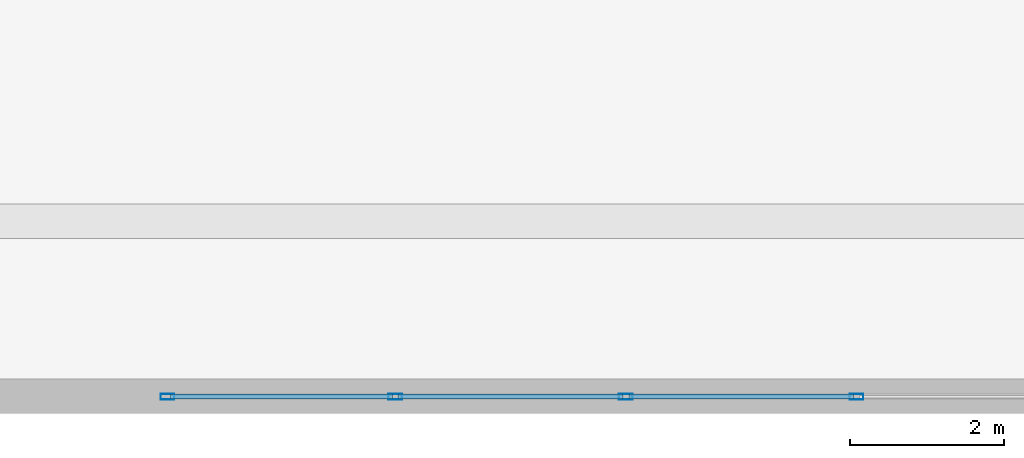
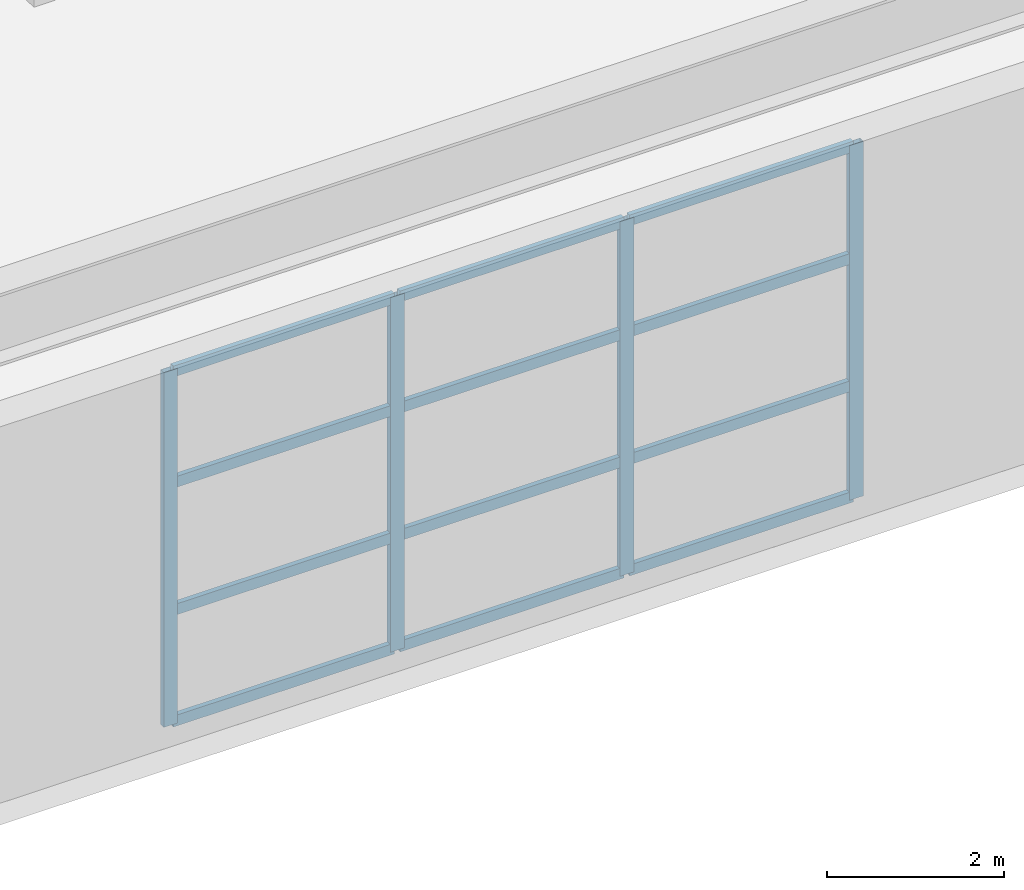
# One storey, part 6 of 34: 16 members, 1 element without a shape of its own.
"""IFC4 building model written with IfcOpenShell, lengths in metres."""

from ifc_helpers import new_model, si_unit, direction, frame, origin, origin_2d, place, context, subcontext, project, spatial, hollow_rectangle, extrude, material, layer, layer_set, material_profile, profile_set, type_object, element, aggregate, save


model = new_model("IFC4")

# Units and contexts
model_context = context("Model", 3, precision=1e-05, world=origin(), true_north=direction((0.0, 1.0)))
body_context = subcontext(model_context, "Body", "Model", "MODEL_VIEW")
ifc_project = project(units=[si_unit("LENGTHUNIT", "METRE"), si_unit("AREAUNIT", "SQUARE_METRE"), si_unit("VOLUMEUNIT", "CUBIC_METRE"), si_unit("PLANEANGLEUNIT", "RADIAN"), si_unit("MASSUNIT", "GRAM", prefix="KILO")], contexts=[model_context])

# Site, building, storey
site_placement = place(None, origin())
site = spatial("IfcSite", under=ifc_project, at=site_placement, CompositionType="ELEMENT")
building_placement = place(site_placement, origin())
building = spatial("IfcBuilding", under=site, at=building_placement, Name="Qiaolan Cultural Towers", CompositionType="ELEMENT")
storey_placement = place(building_placement, frame((0.0, 0.0, 16.5)))
storey = spatial("IfcBuildingStorey", under=building, at=storey_placement, Name="L03", CompositionType="ELEMENT", Elevation=16.5)

# Curtain wall, members
ifc_material_1 = material(Name="Unitized Anodized Aluminium Curtain Wall System", Category="aluminium")
ifc_layer = layer(ifc_material_1, 0.199951171875)
ifc_layer_set = layer_set([ifc_layer], Name="Unitized Anodized Aluminium Curtain Wall System")
curtain_wall_type = type_object("IfcCurtainWallType", Name="CWS-01", PredefinedType="NOTDEFINED", material=ifc_layer_set)
curtain_wall_placement = place(storey_placement, origin())
curtain_wall = element("IfcCurtainWall", 1, at=curtain_wall_placement, inside=storey, type_object=curtain_wall_type, Name="L03 South Atrium Curtain Wall", PredefinedType="NOTDEFINED")
ifc_material_2 = material(Name="Extruded Aluminium 6063-T6", Category="aluminium")
ifc_material_profile_1 = material_profile(ifc_material_2, hollow_rectangle(XDim=0.074951171875, YDim=0.179931640625, WallThickness=0.00390625, at=origin_2d()), Name="CWM-180x75x4")
ifc_profile_set_1 = profile_set([ifc_material_profile_1], Name="Extruded Aluminium 6063-T6")
member_type_1 = type_object("IfcMemberType", Name="CWS-01-MUL", PredefinedType="MULLION", material=ifc_profile_set_1)
member_1_placement = place(storey_placement, frame((50.03759765625, 0.219970703125, 0.14990234375), z_axis=(0.0, 0.0, 1.0), x_axis=(0.0, 1.0, 0.0)))
member_1 = element("IfcMember", 2, at=member_1_placement, type_object=member_type_1, Name="CW-1 mullion 1", PredefinedType="MULLION", context=body_context, shape_type="SweptSolid", body=[
    extrude(hollow_rectangle(XDim=0.074951171875, YDim=0.179931640625, WallThickness=0.00390625, at=origin_2d()), origin(), (0.0, 0.0, 1.0), 4.900146484375),
])
member_2_placement = place(storey_placement, frame((53.0, 0.219970703125, 0.14990234375), z_axis=(0.0, 0.0, 1.0), x_axis=(0.0, 1.0, 0.0)))
member_2 = element("IfcMember", 3, at=member_2_placement, type_object=member_type_1, Name="CW-1 mullion 2", PredefinedType="MULLION", context=body_context, shape_type="SweptSolid", body=[
    extrude(hollow_rectangle(XDim=0.074951171875, YDim=0.179931640625, WallThickness=0.00390625, at=origin_2d()), origin(), (0.0, 0.0, 1.0), 4.900146484375),
])
member_3_placement = place(storey_placement, frame((56.0, 0.219970703125, 0.14990234375), z_axis=(0.0, 0.0, 1.0), x_axis=(0.0, 1.0, 0.0)))
member_3 = element("IfcMember", 4, at=member_3_placement, type_object=member_type_1, Name="CW-1 mullion 3", PredefinedType="MULLION", context=body_context, shape_type="SweptSolid", body=[
    extrude(hollow_rectangle(XDim=0.074951171875, YDim=0.179931640625, WallThickness=0.00390625, at=origin_2d()), origin(), (0.0, 0.0, 1.0), 4.900146484375),
])
member_4_placement = place(storey_placement, frame((59.0, 0.219970703125, 0.14990234375), z_axis=(0.0, 0.0, 1.0), x_axis=(0.0, 1.0, 0.0)))
member_4 = element("IfcMember", 5, at=member_4_placement, type_object=member_type_1, Name="CW-1 mullion 4", PredefinedType="MULLION", context=body_context, shape_type="SweptSolid", body=[
    extrude(hollow_rectangle(XDim=0.074951171875, YDim=0.179931640625, WallThickness=0.00390625, at=origin_2d()), origin(), (0.0, 0.0, 1.0), 4.900146484375),
])
ifc_material_3 = material(Name="Extruded Aluminium 6063-T6", Category="aluminium")
ifc_material_profile_2 = material_profile(ifc_material_3, hollow_rectangle(XDim=0.06494140625, YDim=0.14990234375, WallThickness=0.00390625, at=origin_2d()), Name="CWT-150x65x4")
ifc_profile_set_2 = profile_set([ifc_material_profile_2], Name="Extruded Aluminium 6063-T6")
member_type_2 = type_object("IfcMemberType", Name="CWS-01-TRN", PredefinedType="USERDEFINED", material=ifc_profile_set_2)
member_5_placement = place(storey_placement, frame((50.074951171875, 0.219970703125, 0.1826171875), z_axis=(1.0, 0.0, 0.0), x_axis=(0.0, 1.0, 0.0)))
member_5 = element("IfcMember", 6, at=member_5_placement, type_object=member_type_2, Name="CW-1 transom 1.1", ObjectType="TRANSOM", PredefinedType="USERDEFINED", context=body_context, shape_type="SweptSolid", body=[
    extrude(hollow_rectangle(XDim=0.06494140625, YDim=0.14990234375, WallThickness=0.00390625, at=origin_2d()), origin(), (0.0, 0.0, 1.0), 2.887451171875),
])
member_6_placement = place(storey_placement, frame((50.074951171875, 0.219970703125, 1.719970703125), z_axis=(1.0, 0.0, 0.0), x_axis=(0.0, 1.0, 0.0)))
member_6 = element("IfcMember", 7, at=member_6_placement, type_object=member_type_2, Name="CW-1 transom 1.2", ObjectType="TRANSOM", PredefinedType="USERDEFINED", context=body_context, shape_type="SweptSolid", body=[
    extrude(hollow_rectangle(XDim=0.06494140625, YDim=0.14990234375, WallThickness=0.00390625, at=origin_2d()), origin(), (0.0, 0.0, 1.0), 2.887451171875),
])
member_7_placement = place(storey_placement, frame((50.074951171875, 0.219970703125, 3.47998046875), z_axis=(1.0, 0.0, 0.0), x_axis=(0.0, 1.0, 0.0)))
member_7 = element("IfcMember", 8, at=member_7_placement, type_object=member_type_2, Name="CW-1 transom 1.3", ObjectType="TRANSOM", PredefinedType="USERDEFINED", context=body_context, shape_type="SweptSolid", body=[
    extrude(hollow_rectangle(XDim=0.06494140625, YDim=0.14990234375, WallThickness=0.00390625, at=origin_2d()), origin(), (0.0, 0.0, 1.0), 2.887451171875),
])
member_8_placement = place(storey_placement, frame((50.074951171875, 0.219970703125, 5.017578125), z_axis=(1.0, 0.0, 0.0), x_axis=(0.0, 1.0, 0.0)))
member_8 = element("IfcMember", 9, at=member_8_placement, type_object=member_type_2, Name="CW-1 transom 1.4", ObjectType="TRANSOM", PredefinedType="USERDEFINED", context=body_context, shape_type="SweptSolid", body=[
    extrude(hollow_rectangle(XDim=0.06494140625, YDim=0.14990234375, WallThickness=0.00390625, at=origin_2d()), origin(), (0.0, 0.0, 1.0), 2.887451171875),
])
member_9_placement = place(storey_placement, frame((53.03759765625, 0.219970703125, 0.1826171875), z_axis=(1.0, 0.0, 0.0), x_axis=(0.0, 1.0, 0.0)))
member_9 = element("IfcMember", 10, at=member_9_placement, type_object=member_type_2, Name="CW-1 transom 2.1", ObjectType="TRANSOM", PredefinedType="USERDEFINED", context=body_context, shape_type="SweptSolid", body=[
    extrude(hollow_rectangle(XDim=0.06494140625, YDim=0.14990234375, WallThickness=0.00390625, at=origin_2d()), origin(), (0.0, 0.0, 1.0), 2.9248046875),
])
member_10_placement = place(storey_placement, frame((53.03759765625, 0.219970703125, 1.719970703125), z_axis=(1.0, 0.0, 0.0), x_axis=(0.0, 1.0, 0.0)))
member_10 = element("IfcMember", 11, at=member_10_placement, type_object=member_type_2, Name="CW-1 transom 2.2", ObjectType="TRANSOM", PredefinedType="USERDEFINED", context=body_context, shape_type="SweptSolid", body=[
    extrude(hollow_rectangle(XDim=0.06494140625, YDim=0.14990234375, WallThickness=0.00390625, at=origin_2d()), origin(), (0.0, 0.0, 1.0), 2.9248046875),
])
member_11_placement = place(storey_placement, frame((53.03759765625, 0.219970703125, 3.47998046875), z_axis=(1.0, 0.0, 0.0), x_axis=(0.0, 1.0, 0.0)))
member_11 = element("IfcMember", 12, at=member_11_placement, type_object=member_type_2, Name="CW-1 transom 2.3", ObjectType="TRANSOM", PredefinedType="USERDEFINED", context=body_context, shape_type="SweptSolid", body=[
    extrude(hollow_rectangle(XDim=0.06494140625, YDim=0.14990234375, WallThickness=0.00390625, at=origin_2d()), origin(), (0.0, 0.0, 1.0), 2.9248046875),
])
member_12_placement = place(storey_placement, frame((53.03759765625, 0.219970703125, 5.017578125), z_axis=(1.0, 0.0, 0.0), x_axis=(0.0, 1.0, 0.0)))
member_12 = element("IfcMember", 13, at=member_12_placement, type_object=member_type_2, Name="CW-1 transom 2.4", ObjectType="TRANSOM", PredefinedType="USERDEFINED", context=body_context, shape_type="SweptSolid", body=[
    extrude(hollow_rectangle(XDim=0.06494140625, YDim=0.14990234375, WallThickness=0.00390625, at=origin_2d()), origin(), (0.0, 0.0, 1.0), 2.9248046875),
])
member_13_placement = place(storey_placement, frame((56.03759765625, 0.219970703125, 0.1826171875), z_axis=(1.0, 0.0, 0.0), x_axis=(0.0, 1.0, 0.0)))
member_13 = element("IfcMember", 14, at=member_13_placement, type_object=member_type_2, Name="CW-1 transom 3.1", ObjectType="TRANSOM", PredefinedType="USERDEFINED", context=body_context, shape_type="SweptSolid", body=[
    extrude(hollow_rectangle(XDim=0.06494140625, YDim=0.14990234375, WallThickness=0.00390625, at=origin_2d()), origin(), (0.0, 0.0, 1.0), 2.9248046875),
])
member_14_placement = place(storey_placement, frame((56.03759765625, 0.219970703125, 1.719970703125), z_axis=(1.0, 0.0, 0.0), x_axis=(0.0, 1.0, 0.0)))
member_14 = element("IfcMember", 15, at=member_14_placement, type_object=member_type_2, Name="CW-1 transom 3.2", ObjectType="TRANSOM", PredefinedType="USERDEFINED", context=body_context, shape_type="SweptSolid", body=[
    extrude(hollow_rectangle(XDim=0.06494140625, YDim=0.14990234375, WallThickness=0.00390625, at=origin_2d()), origin(), (0.0, 0.0, 1.0), 2.9248046875),
])
member_15_placement = place(storey_placement, frame((56.03759765625, 0.219970703125, 3.47998046875), z_axis=(1.0, 0.0, 0.0), x_axis=(0.0, 1.0, 0.0)))
member_15 = element("IfcMember", 16, at=member_15_placement, type_object=member_type_2, Name="CW-1 transom 3.3", ObjectType="TRANSOM", PredefinedType="USERDEFINED", context=body_context, shape_type="SweptSolid", body=[
    extrude(hollow_rectangle(XDim=0.06494140625, YDim=0.14990234375, WallThickness=0.00390625, at=origin_2d()), origin(), (0.0, 0.0, 1.0), 2.9248046875),
])
member_16_placement = place(storey_placement, frame((56.03759765625, 0.219970703125, 5.017578125), z_axis=(1.0, 0.0, 0.0), x_axis=(0.0, 1.0, 0.0)))
member_16 = element("IfcMember", 17, at=member_16_placement, type_object=member_type_2, Name="CW-1 transom 3.4", ObjectType="TRANSOM", PredefinedType="USERDEFINED", context=body_context, shape_type="SweptSolid", body=[
    extrude(hollow_rectangle(XDim=0.06494140625, YDim=0.14990234375, WallThickness=0.00390625, at=origin_2d()), origin(), (0.0, 0.0, 1.0), 2.9248046875),
])
aggregate(curtain_wall, [member_1, member_2, member_3, member_4, member_5, member_6, member_7, member_8, member_9, member_10, member_11, member_12, member_13, member_14, member_15, member_16])

save(model, "model.ifc")
